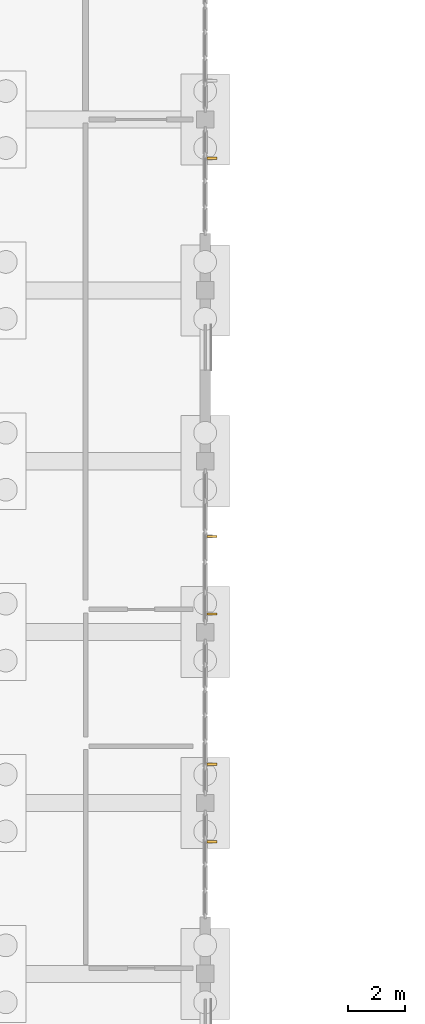
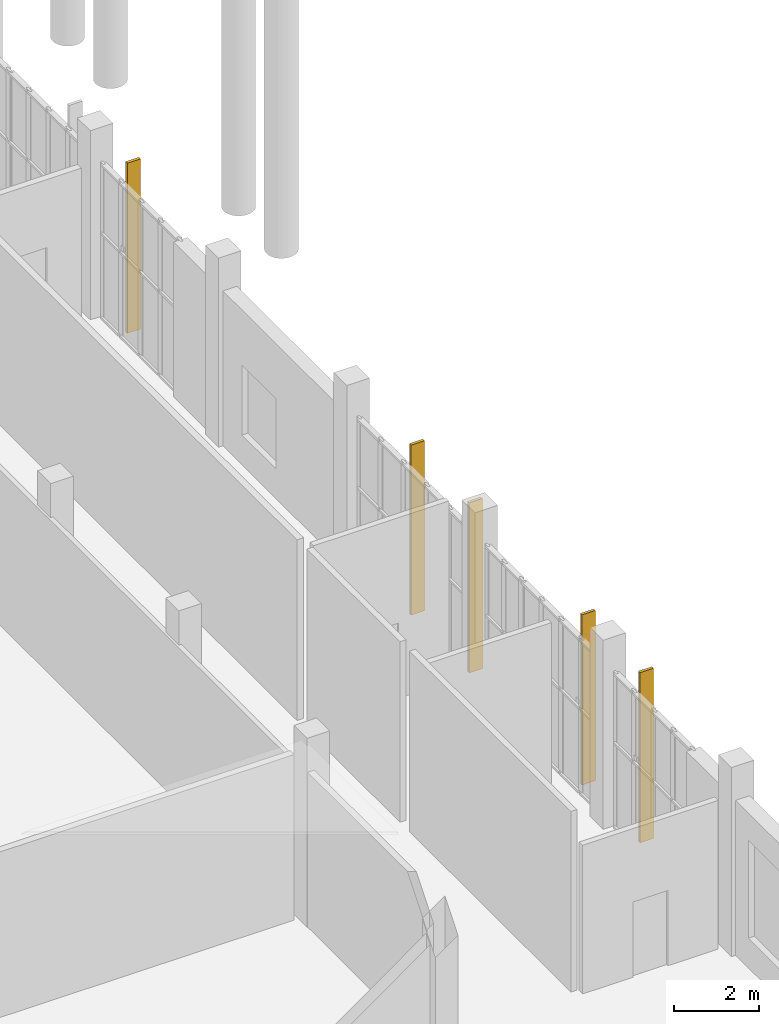
# One storey, part 61 of 69: 5 shading devices.
"""IFC4 building model written with IfcOpenShell, lengths in metres."""

from ifc_helpers import new_model, si_unit, direction, frame, origin, origin_2d, place, context, subcontext, project, spatial, rectangle, extrude, material, type_object, element, save


model = new_model("IFC4")

# Units and contexts
model_context = context("Model", 3, precision=1e-05, world=origin(), true_north=direction((0.0, 1.0)))
body_context = subcontext(model_context, "Body", "Model", "MODEL_VIEW")
ifc_project = project(units=[si_unit("LENGTHUNIT", "METRE"), si_unit("AREAUNIT", "SQUARE_METRE"), si_unit("VOLUMEUNIT", "CUBIC_METRE"), si_unit("PLANEANGLEUNIT", "RADIAN"), si_unit("MASSUNIT", "GRAM", prefix="KILO")], contexts=[model_context])

# Site, building, storey
site_placement = place(None, origin())
site = spatial("IfcSite", under=ifc_project, at=site_placement, CompositionType="ELEMENT")
building_placement = place(site_placement, origin())
building = spatial("IfcBuilding", under=site, at=building_placement, Name="Solvane Community Centre", CompositionType="ELEMENT")
storey_placement = place(building_placement, origin())
storey = spatial("IfcBuildingStorey", under=building, at=storey_placement, Name="L00", CompositionType="ELEMENT", Elevation=0.0)

# Shading devices
ifc_material = material(Name="Anodised bronze aluminium AW-6063 T6", Category="aluminium")
shading_device_type = type_object("IfcShadingDeviceType", Name="Art Deco Bronze Solar Fin 80x360", PredefinedType="USERDEFINED", material=ifc_material)
shading_device_1_placement = place(storey_placement, frame((68.239990234375, 64.639892578125, 0.14990234375), z_axis=(0.0, 0.0, 1.0), x_axis=(0.0, -1.0, 0.0)))
element("IfcShadingDevice", 1, at=shading_device_1_placement, inside=storey, type_object=shading_device_type, Name="Solar Brise-Soleil Fin 16", ObjectType="Solar Brise-Soleil Fin 16", PredefinedType="USERDEFINED", context=body_context, shape_type="SweptSolid", body=[
    extrude(rectangle(XDim=0.080078125, YDim=0.360107421875, at=origin_2d()), origin(), (0.0, 0.0, 1.0), 4.860107421875),
])
shading_device_2_placement = place(storey_placement, frame((68.239990234375, 51.360107421875, 0.14990234375), z_axis=(0.0, 0.0, 1.0), x_axis=(0.0, -1.0, 0.0)))
element("IfcShadingDevice", 2, at=shading_device_2_placement, inside=storey, type_object=shading_device_type, Name="Solar Brise-Soleil Fin 17", ObjectType="Solar Brise-Soleil Fin 17", PredefinedType="USERDEFINED", context=body_context, shape_type="SweptSolid", body=[
    extrude(rectangle(XDim=0.080078125, YDim=0.360107421875, at=origin_2d()), origin(), (0.0, 0.0, 1.0), 4.860107421875),
])
shading_device_3_placement = place(storey_placement, frame((68.239990234375, 48.639892578125, 0.14990234375), z_axis=(0.0, 0.0, 1.0), x_axis=(0.0, -1.0, 0.0)))
element("IfcShadingDevice", 3, at=shading_device_3_placement, inside=storey, type_object=shading_device_type, Name="Solar Brise-Soleil Fin 18", ObjectType="Solar Brise-Soleil Fin 18", PredefinedType="USERDEFINED", context=body_context, shape_type="SweptSolid", body=[
    extrude(rectangle(XDim=0.080078125, YDim=0.360107421875, at=origin_2d()), origin(), (0.0, 0.0, 1.0), 4.860107421875),
])
shading_device_4_placement = place(storey_placement, frame((68.239990234375, 43.360107421875, 0.14990234375), z_axis=(0.0, 0.0, 1.0), x_axis=(0.0, -1.0, 0.0)))
element("IfcShadingDevice", 4, at=shading_device_4_placement, inside=storey, type_object=shading_device_type, Name="Solar Brise-Soleil Fin 19", ObjectType="Solar Brise-Soleil Fin 19", PredefinedType="USERDEFINED", context=body_context, shape_type="SweptSolid", body=[
    extrude(rectangle(XDim=0.080078125, YDim=0.360107421875, at=origin_2d()), origin(), (0.0, 0.0, 1.0), 4.860107421875),
])
shading_device_5_placement = place(storey_placement, frame((68.239990234375, 40.639892578125, 0.14990234375), z_axis=(0.0, 0.0, 1.0), x_axis=(0.0, -1.0, 0.0)))
element("IfcShadingDevice", 5, at=shading_device_5_placement, inside=storey, type_object=shading_device_type, Name="Solar Brise-Soleil Fin 20", ObjectType="Solar Brise-Soleil Fin 20", PredefinedType="USERDEFINED", context=body_context, shape_type="SweptSolid", body=[
    extrude(rectangle(XDim=0.080078125, YDim=0.360107421875, at=origin_2d()), origin(), (0.0, 0.0, 1.0), 4.860107421875),
])

save(model, "model.ifc")
